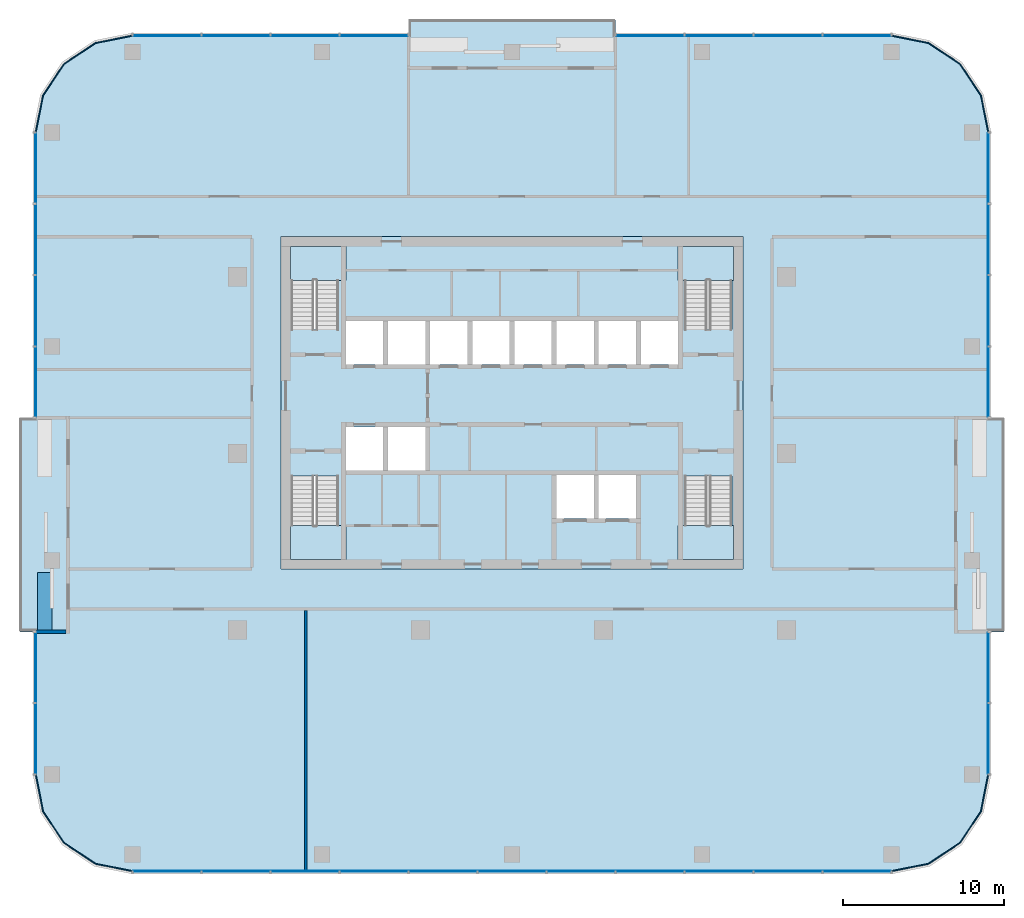
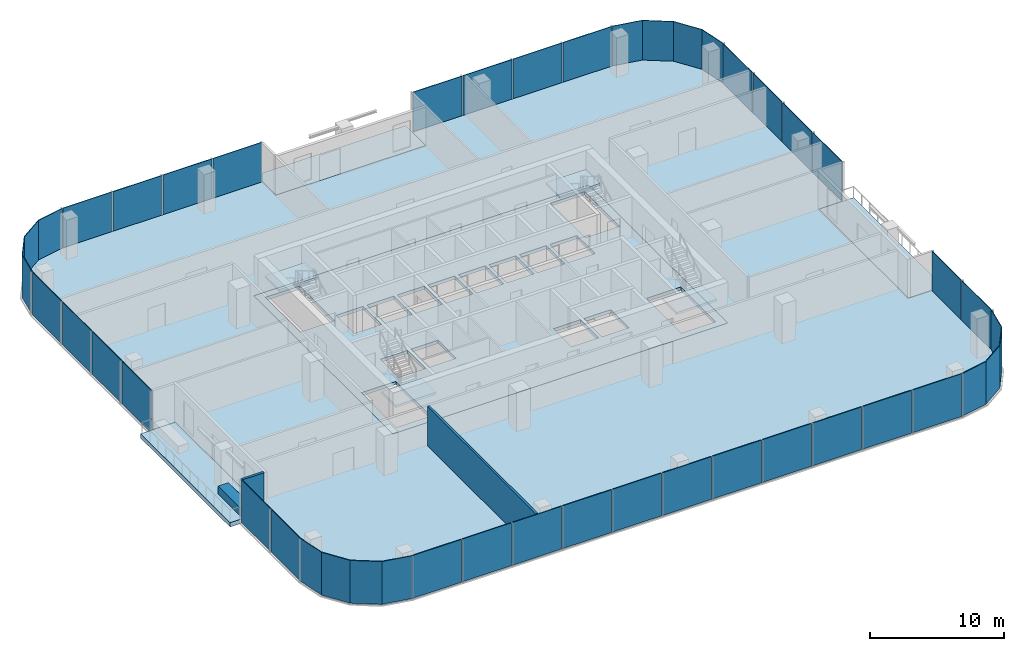
# One storey, part 6 of 13: 35 plates, 9 slabs, 3 walls, 15 elements without a shape of their own.
"""IFC4 building model written with IfcOpenShell, lengths in metres."""

from ifc_helpers import new_model, si_unit, direction, frame, frame_2d, origin, origin_2d, place, context, subcontext, project, spatial, polyline, rectangle, outline, extrude, material, layer, layer_set, type_object, element, aggregate, save


model = new_model("IFC4")

# Units and contexts
model_context = context("Model", 3, precision=1e-05, world=origin(), true_north=direction((0.0, 1.0)))
body_context = subcontext(model_context, "Body", "Model", "MODEL_VIEW")
ifc_project = project(units=[si_unit("LENGTHUNIT", "METRE"), si_unit("AREAUNIT", "SQUARE_METRE"), si_unit("VOLUMEUNIT", "CUBIC_METRE"), si_unit("PLANEANGLEUNIT", "RADIAN"), si_unit("MASSUNIT", "GRAM", prefix="KILO")], contexts=[model_context])

# Site, building, storey
site_placement = place(None, origin())
site = spatial("IfcSite", under=ifc_project, at=site_placement, CompositionType="ELEMENT")
building_placement = place(site_placement, origin())
building = spatial("IfcBuilding", under=site, at=building_placement, Name="Mopane Tessera Tower", CompositionType="ELEMENT")
storey_placement = place(building_placement, frame((0.0, 0.0, 283.39990234375)))
storey = spatial("IfcBuildingStorey", under=building, at=storey_placement, Name="L61", CompositionType="ELEMENT", Elevation=283.39990234375)

# Slab
ifc_material_1 = material(Name="Concrete C40/50", Category="concrete")
ifc_layer_1 = layer(ifc_material_1, 0.300048828125)
ifc_layer_set_1 = layer_set([ifc_layer_1], Name="Concrete C40/50")
slab_type_1 = type_object("IfcSlabType", Name="Core floor slab 300 mm", PredefinedType="FLOOR", material=ifc_layer_set_1)
slab_1_placement = place(storey_placement, frame((0.0, 0.0, -0.2998046875)))
element("IfcSlab", 1, at=slab_1_placement, inside=storey, type_object=slab_type_1, Name="L61 core floor slab", PredefinedType="FLOOR", context=body_context, shape_type="SweptSolid", body=[
    extrude(outline(polyline([(-14.39990234375, -7.199951171875), (14.39990234375, -7.199951171875), (14.39990234375, 13.5), (-14.39990234375, 13.5), (-14.39990234375, -7.199951171875)]), holes=[polyline([(-10.35009765625, -1.050048828125), (-8.02490234375, -1.050048828125), (-8.02490234375, 1.64990234375), (-10.35009765625, 1.64990234375), (-10.35009765625, -1.050048828125)]), polyline([(-7.72509765625, -1.050048828125), (-5.39990234375, -1.050048828125), (-5.39990234375, 1.64990234375), (-7.72509765625, 1.64990234375), (-7.72509765625, -1.050048828125)]), polyline([(-10.35009765625, 5.550048828125), (-8.02490234375, 5.550048828125), (-8.02490234375, 8.25), (-10.35009765625, 8.25), (-10.35009765625, 5.550048828125)]), polyline([(-7.72509765625, 5.550048828125), (-5.39990234375, 5.550048828125), (-5.39990234375, 8.25), (-7.72509765625, 8.25), (-7.72509765625, 5.550048828125)]), polyline([(-5.10009765625, 5.550048828125), (-2.77490234375, 5.550048828125), (-2.77490234375, 8.25), (-5.10009765625, 8.25), (-5.10009765625, 5.550048828125)]), polyline([(-2.47509765625, 5.550048828125), (-0.14990234375, 5.550048828125), (-0.14990234375, 8.25), (-2.47509765625, 8.25), (-2.47509765625, 5.550048828125)]), polyline([(0.14990234375, 5.550048828125), (2.47509765625, 5.550048828125), (2.47509765625, 8.25), (0.14990234375, 8.25), (0.14990234375, 5.550048828125)]), polyline([(2.77490234375, 5.550048828125), (5.10009765625, 5.550048828125), (5.10009765625, 8.25), (2.77490234375, 8.25), (2.77490234375, 5.550048828125)]), polyline([(5.39990234375, 5.550048828125), (7.72509765625, 5.550048828125), (7.72509765625, 8.25), (5.39990234375, 8.25), (5.39990234375, 5.550048828125)]), polyline([(8.02490234375, 5.550048828125), (10.35009765625, 5.550048828125), (10.35009765625, 8.25), (8.02490234375, 8.25), (8.02490234375, 5.550048828125)]), polyline([(2.77490234375, -4.050048828125), (5.10009765625, -4.050048828125), (5.10009765625, -1.35009765625), (2.77490234375, -1.35009765625), (2.77490234375, -4.050048828125)]), polyline([(5.39990234375, -4.050048828125), (7.72509765625, -4.050048828125), (7.72509765625, -1.35009765625), (5.39990234375, -1.35009765625), (5.39990234375, -4.050048828125)]), polyline([(-13.75, -1.405029296875), (-13.75, -6.60009765625), (-10.800048828125, -6.60009765625), (-10.800048828125, -1.405029296875), (-13.75, -1.405029296875)]), polyline([(-10.800048828125, 7.705078125), (-10.800048828125, 12.89990234375), (-13.75, 12.89990234375), (-13.75, 7.705078125), (-10.800048828125, 7.705078125)]), polyline([(10.75, -1.405029296875), (10.75, -6.60009765625), (13.699951171875, -6.60009765625), (13.699951171875, -1.405029296875), (10.75, -1.405029296875)]), polyline([(13.699951171875, 7.705078125), (13.699951171875, 12.89990234375), (10.75, 12.89990234375), (10.75, 7.705078125), (13.699951171875, 7.705078125)])]), origin(), (0.0, 0.0, 1.0), 0.2998046875),
])

# Stair, slab
ifc_material_2 = material(Name="Concrete C50/60", Category="concrete")
stair_type = type_object("IfcStairType", Name="Escape stair 1400 mm, riser 167 mm", PredefinedType="HALF_TURN_STAIR", material=ifc_material_2)
stair_1_placement = place(storey_placement, origin())
stair_1 = element("IfcStair", 2, at=stair_1_placement, inside=storey, type_object=stair_type, Name="L61 Escape stair south-west", PredefinedType="HALF_TURN_STAIR")
ifc_material_3 = material(Name="Concrete C50/60", Category="concrete")
ifc_layer_2 = layer(ifc_material_3, 0.199951171875)
ifc_layer_set_2 = layer_set([ifc_layer_2], Name="Concrete C50/60")
slab_type_2 = type_object("IfcSlabType", Name="Escape stair landing 200 mm", PredefinedType="LANDING", material=ifc_layer_set_2)
slab_2_placement = place(storey_placement, frame((0.0, 0.0, 1.800048828125)))
slab_2 = element("IfcSlab", 3, at=slab_2_placement, type_object=slab_type_2, Name="ST1 landing 1", PredefinedType="LANDING", context=body_context, shape_type="SweptSolid", body=[
    extrude(outline(polyline([(-13.800048828125, -4.47998046875), (-13.800048828125, -6.60009765625), (-10.35009765625, -6.60009765625), (-10.35009765625, -4.47998046875), (-13.800048828125, -4.47998046875)])), origin(), (0.0, 0.0, 1.0), 0.199951171875),
])
aggregate(stair_1, [slab_2])

stair_2_placement = place(storey_placement, origin())
stair_2 = element("IfcStair", 4, at=stair_2_placement, inside=storey, type_object=stair_type, Name="L61 Escape stair north-west", PredefinedType="HALF_TURN_STAIR")
slab_3_placement = place(storey_placement, frame((0.0, 0.0, 1.800048828125)))
slab_3 = element("IfcSlab", 5, at=slab_3_placement, type_object=slab_type_2, Name="ST2 landing 1", PredefinedType="LANDING", context=body_context, shape_type="SweptSolid", body=[
    extrude(outline(polyline([(-10.35009765625, 10.780029296875), (-10.35009765625, 12.89990234375), (-13.800048828125, 12.89990234375), (-13.800048828125, 10.780029296875), (-10.35009765625, 10.780029296875)])), origin(), (0.0, 0.0, 1.0), 0.199951171875),
])
aggregate(stair_2, [slab_3])

stair_3_placement = place(storey_placement, origin())
stair_3 = element("IfcStair", 6, at=stair_3_placement, inside=storey, type_object=stair_type, Name="L61 Escape stair south-east", PredefinedType="HALF_TURN_STAIR")
slab_4_placement = place(storey_placement, frame((0.0, 0.0, 1.800048828125)))
slab_4 = element("IfcSlab", 7, at=slab_4_placement, type_object=slab_type_2, Name="ST3 landing 1", PredefinedType="LANDING", context=body_context, shape_type="SweptSolid", body=[
    extrude(outline(polyline([(10.35009765625, -4.47998046875), (10.35009765625, -6.60009765625), (13.800048828125, -6.60009765625), (13.800048828125, -4.47998046875), (10.35009765625, -4.47998046875)])), origin(), (0.0, 0.0, 1.0), 0.199951171875),
])
aggregate(stair_3, [slab_4])

stair_4_placement = place(storey_placement, origin())
stair_4 = element("IfcStair", 8, at=stair_4_placement, inside=storey, type_object=stair_type, Name="L61 Escape stair north-east", PredefinedType="HALF_TURN_STAIR")
slab_5_placement = place(storey_placement, frame((0.0, 0.0, 1.800048828125)))
slab_5 = element("IfcSlab", 9, at=slab_5_placement, type_object=slab_type_2, Name="ST4 landing 1", PredefinedType="LANDING", context=body_context, shape_type="SweptSolid", body=[
    extrude(outline(polyline([(13.800048828125, 10.780029296875), (13.800048828125, 12.89990234375), (10.35009765625, 12.89990234375), (10.35009765625, 10.780029296875), (13.800048828125, 10.780029296875)])), origin(), (0.0, 0.0, 1.0), 0.199951171875),
])
aggregate(stair_4, [slab_5])

# Slabs
ifc_material_4 = material(Name="Concrete C40/50", Category="concrete")
ifc_layer_3 = layer(ifc_material_4, 0.39990234375)
ifc_layer_set_3 = layer_set([ifc_layer_3], Name="Concrete C40/50")
slab_type_3 = type_object("IfcSlabType", Name="Planted terrace slab 400 mm", PredefinedType="FLOOR", material=ifc_layer_set_3)
slab_6_placement = place(storey_placement, frame((0.0, 0.0, -0.39990234375)))
element("IfcSlab", 10, at=slab_6_placement, inside=storey, type_object=slab_type_3, Name="Terrace slab N1 L61", PredefinedType="FLOOR", context=body_context, shape_type="SweptSolid", body=[
    extrude(outline(polyline([(30.64990234375, 2.22216796875), (27.64990234375, 2.22216796875), (27.64990234375, -11.111083984375), (30.64990234375, -11.111083984375), (30.64990234375, 2.22216796875)])), origin(), (0.0, 0.0, 1.0), 0.39990234375),
])
slab_7_placement = place(storey_placement, frame((0.0, 0.0, -0.39990234375)))
element("IfcSlab", 11, at=slab_7_placement, inside=storey, type_object=slab_type_3, Name="Terrace slab N2 L61", PredefinedType="FLOOR", context=body_context, shape_type="SweptSolid", body=[
    extrude(outline(polyline([(-6.449951171875, 27.0), (-6.449951171875, 24.0), (6.449951171875, 24.0), (6.449951171875, 27.0), (-6.449951171875, 27.0)])), origin(), (0.0, 0.0, 1.0), 0.39990234375),
])
slab_8_placement = place(storey_placement, frame((0.0, 0.0, -0.39990234375)))
element("IfcSlab", 12, at=slab_8_placement, inside=storey, type_object=slab_type_3, Name="Terrace slab N3 L61", PredefinedType="FLOOR", context=body_context, shape_type="SweptSolid", body=[
    extrude(outline(polyline([(-30.64990234375, -11.111083984375), (-27.64990234375, -11.111083984375), (-27.64990234375, 2.22216796875), (-30.64990234375, 2.22216796875), (-30.64990234375, -11.111083984375)])), origin(), (0.0, 0.0, 1.0), 0.39990234375),
])
ifc_material_5 = material(Name="Concrete C40/50", Category="concrete")
ifc_layer_4 = layer(ifc_material_5, 0.39990234375)
ifc_layer_set_4 = layer_set([ifc_layer_4], Name="Concrete C40/50")
slab_type_4 = type_object("IfcSlabType", Name="Post-tensioned flat plate 400 mm", PredefinedType="FLOOR", material=ifc_layer_set_4)
slab_9_placement = place(storey_placement, frame((0.0, 0.0, -0.39990234375)))
element("IfcSlab", 13, at=slab_9_placement, inside=storey, type_object=slab_type_4, Name="Floor slab L61", PredefinedType="FLOOR", context=body_context, shape_type="SweptSolid", body=[
    extrude(outline(polyline([(29.64990234375, -20.0), (29.64990234375, -11.111083984375), (27.64990234375, -11.111083984375), (27.64990234375, 2.22216796875), (29.64990234375, 2.22216796875), (29.64990234375, 20.0), (29.193359375, 22.296142578125), (27.892578125, 24.24267578125), (25.946044921875, 25.543212890625), (23.64990234375, 26.0), (6.449951171875, 26.0), (6.449951171875, 24.0), (-6.449951171875, 24.0), (-6.449951171875, 26.0), (-23.64990234375, 26.0), (-25.946044921875, 25.543212890625), (-27.892578125, 24.24267578125), (-29.193359375, 22.296142578125), (-29.64990234375, 20.0), (-29.64990234375, 2.22216796875), (-27.64990234375, 2.22216796875), (-27.64990234375, -11.111083984375), (-29.64990234375, -11.111083984375), (-29.64990234375, -20.0), (-29.193359375, -22.296142578125), (-27.892578125, -24.24267578125), (-25.946044921875, -25.543212890625), (-23.64990234375, -26.0), (23.64990234375, -26.0), (25.946044921875, -25.543212890625), (27.892578125, -24.24267578125), (29.193359375, -22.296142578125), (29.64990234375, -20.0)]), holes=[polyline([(14.39990234375, -7.199951171875), (-14.39990234375, -7.199951171875), (-14.39990234375, 13.5), (14.39990234375, 13.5), (14.39990234375, -7.199951171875)])]), origin(), (0.0, 0.0, 1.0), 0.39990234375),
])

# Curtain wall, plates
ifc_material_6 = material(Name="Aluminium frame", Category="aluminium")
curtain_wall_type = type_object("IfcCurtainWallType", Name="Unitised curtain wall", PredefinedType="NOTDEFINED", material=ifc_material_6)
curtain_wall_1_placement = place(storey_placement, origin())
curtain_wall_1 = element("IfcCurtainWall", 14, at=curtain_wall_1_placement, inside=storey, type_object=curtain_wall_type, Name="e:cw:L61:S:0", PredefinedType="NOTDEFINED")
ifc_material_7 = material(Name="Clear laminated glass", Category="glass")
ifc_layer_5 = layer(ifc_material_7, 0.06005859375)
ifc_layer_set_5 = layer_set([ifc_layer_5], Name="Clear laminated glass")
plate_type = type_object("IfcPlateType", Name="Unitised glazed unit", PredefinedType="CURTAIN_PANEL", material=ifc_layer_set_5)
plate_1_placement = place(storey_placement, frame((-21.5, -26.030029296875, -0.27978515625), z_axis=(0.0, 0.0, 1.0), x_axis=(1.0, 0.0, 0.0)))
plate_1 = element("IfcPlate", 15, at=plate_1_placement, type_object=plate_type, Name="e:cw:L61:S:0:pn0", PredefinedType="CURTAIN_PANEL", context=body_context, shape_type="SweptSolid", body=[
    extrude(rectangle(XDim=4.199951171875, YDim=0.06005859375, at=origin_2d()), origin(), (0.0, 0.0, 1.0), 3.8798828125),
])
plate_2_placement = place(storey_placement, frame((-17.199951171875, -26.030029296875, -0.27978515625), z_axis=(0.0, 0.0, 1.0), x_axis=(1.0, 0.0, 0.0)))
plate_2 = element("IfcPlate", 16, at=plate_2_placement, type_object=plate_type, Name="e:cw:L61:S:0:pn1", PredefinedType="CURTAIN_PANEL", context=body_context, shape_type="SweptSolid", body=[
    extrude(rectangle(XDim=4.199951171875, YDim=0.06005859375, at=origin_2d()), origin(), (0.0, 0.0, 1.0), 3.8798828125),
])
plate_3_placement = place(storey_placement, frame((-12.89990234375, -26.030029296875, -0.27978515625), z_axis=(0.0, 0.0, 1.0), x_axis=(1.0, 0.0, 0.0)))
plate_3 = element("IfcPlate", 17, at=plate_3_placement, type_object=plate_type, Name="e:cw:L61:S:0:pn2", PredefinedType="CURTAIN_PANEL", context=body_context, shape_type="SweptSolid", body=[
    extrude(rectangle(XDim=4.199951171875, YDim=0.06005859375, at=origin_2d()), origin(), (0.0, 0.0, 1.0), 3.8798828125),
])
plate_4_placement = place(storey_placement, frame((-8.60009765625, -26.030029296875, -0.27978515625), z_axis=(0.0, 0.0, 1.0), x_axis=(1.0, 0.0, 0.0)))
plate_4 = element("IfcPlate", 18, at=plate_4_placement, type_object=plate_type, Name="e:cw:L61:S:0:pn3", PredefinedType="CURTAIN_PANEL", context=body_context, shape_type="SweptSolid", body=[
    extrude(rectangle(XDim=4.199951171875, YDim=0.06005859375, at=origin_2d()), origin(), (0.0, 0.0, 1.0), 3.8798828125),
])
plate_5_placement = place(storey_placement, frame((-4.300048828125, -26.030029296875, -0.27978515625), z_axis=(0.0, 0.0, 1.0), x_axis=(1.0, 0.0, 0.0)))
plate_5 = element("IfcPlate", 19, at=plate_5_placement, type_object=plate_type, Name="e:cw:L61:S:0:pn4", PredefinedType="CURTAIN_PANEL", context=body_context, shape_type="SweptSolid", body=[
    extrude(rectangle(XDim=4.199951171875, YDim=0.06005859375, at=origin_2d()), origin(), (0.0, 0.0, 1.0), 3.8798828125),
])
plate_6_placement = place(storey_placement, frame((0.0, -26.030029296875, -0.27978515625), z_axis=(0.0, 0.0, 1.0), x_axis=(1.0, 0.0, 0.0)))
plate_6 = element("IfcPlate", 20, at=plate_6_placement, type_object=plate_type, Name="e:cw:L61:S:0:pn5", PredefinedType="CURTAIN_PANEL", context=body_context, shape_type="SweptSolid", body=[
    extrude(rectangle(XDim=4.199951171875, YDim=0.06005859375, at=origin_2d()), origin(), (0.0, 0.0, 1.0), 3.8798828125),
])
plate_7_placement = place(storey_placement, frame((4.300048828125, -26.030029296875, -0.27978515625), z_axis=(0.0, 0.0, 1.0), x_axis=(1.0, 0.0, 0.0)))
plate_7 = element("IfcPlate", 21, at=plate_7_placement, type_object=plate_type, Name="e:cw:L61:S:0:pn6", PredefinedType="CURTAIN_PANEL", context=body_context, shape_type="SweptSolid", body=[
    extrude(rectangle(XDim=4.199951171875, YDim=0.06005859375, at=origin_2d()), origin(), (0.0, 0.0, 1.0), 3.8798828125),
])
plate_8_placement = place(storey_placement, frame((8.60009765625, -26.030029296875, -0.27978515625), z_axis=(0.0, 0.0, 1.0), x_axis=(1.0, 0.0, 0.0)))
plate_8 = element("IfcPlate", 22, at=plate_8_placement, type_object=plate_type, Name="e:cw:L61:S:0:pn7", PredefinedType="CURTAIN_PANEL", context=body_context, shape_type="SweptSolid", body=[
    extrude(rectangle(XDim=4.199951171875, YDim=0.06005859375, at=origin_2d()), origin(), (0.0, 0.0, 1.0), 3.8798828125),
])
plate_9_placement = place(storey_placement, frame((12.89990234375, -26.030029296875, -0.27978515625), z_axis=(0.0, 0.0, 1.0), x_axis=(1.0, 0.0, 0.0)))
plate_9 = element("IfcPlate", 23, at=plate_9_placement, type_object=plate_type, Name="e:cw:L61:S:0:pn8", PredefinedType="CURTAIN_PANEL", context=body_context, shape_type="SweptSolid", body=[
    extrude(rectangle(XDim=4.199951171875, YDim=0.06005859375, at=origin_2d()), origin(), (0.0, 0.0, 1.0), 3.8798828125),
])
plate_10_placement = place(storey_placement, frame((17.199951171875, -26.030029296875, -0.27978515625), z_axis=(0.0, 0.0, 1.0), x_axis=(1.0, 0.0, 0.0)))
plate_10 = element("IfcPlate", 24, at=plate_10_placement, type_object=plate_type, Name="e:cw:L61:S:0:pn9", PredefinedType="CURTAIN_PANEL", context=body_context, shape_type="SweptSolid", body=[
    extrude(rectangle(XDim=4.199951171875, YDim=0.06005859375, at=origin_2d()), origin(), (0.0, 0.0, 1.0), 3.8798828125),
])
plate_11_placement = place(storey_placement, frame((21.5, -26.030029296875, -0.27978515625), z_axis=(0.0, 0.0, 1.0), x_axis=(1.0, 0.0, 0.0)))
plate_11 = element("IfcPlate", 25, at=plate_11_placement, type_object=plate_type, Name="e:cw:L61:S:0:pn10", PredefinedType="CURTAIN_PANEL", context=body_context, shape_type="SweptSolid", body=[
    extrude(rectangle(XDim=4.199951171875, YDim=0.06005859375, at=origin_2d()), origin(), (0.0, 0.0, 1.0), 3.8798828125),
])
aggregate(curtain_wall_1, [plate_1, plate_2, plate_3, plate_4, plate_5, plate_6, plate_7, plate_8, plate_9, plate_10, plate_11])

# Curtain wall, plate
curtain_wall_2_placement = place(storey_placement, origin())
curtain_wall_2 = element("IfcCurtainWall", 26, at=curtain_wall_2_placement, inside=storey, type_object=curtain_wall_type, Name="e:cw:L61:CS", PredefinedType="NOTDEFINED")
plate_12_placement = place(storey_placement, frame((0.0, 0.0, -0.27978515625)))
plate_12 = element("IfcPlate", 27, at=plate_12_placement, type_object=plate_type, Name="e:cw:L61:CS:pn", PredefinedType="CURTAIN_PANEL", context=body_context, shape_type="SweptSolid", body=[
    extrude(outline(polyline([(23.64990234375, -26.0), (25.946044921875, -25.543212890625), (27.892578125, -24.24267578125), (29.193359375, -22.296142578125), (29.64990234375, -20.0), (29.7099609375, -20.0), (29.248779296875, -22.319091796875), (27.93505859375, -24.28515625), (25.968994140625, -25.5986328125), (23.64990234375, -26.06005859375), (23.64990234375, -26.0)])), origin(), (0.0, 0.0, 1.0), 3.8798828125),
])
aggregate(curtain_wall_2, [plate_12])

# Curtain wall, plates
curtain_wall_3_placement = place(storey_placement, origin())
curtain_wall_3 = element("IfcCurtainWall", 28, at=curtain_wall_3_placement, inside=storey, type_object=curtain_wall_type, Name="e:cw:L61:E:0", PredefinedType="NOTDEFINED")
plate_13_placement = place(storey_placement, frame((29.679931640625, -17.77783203125, -0.27978515625), z_axis=(0.0, 0.0, 1.0), x_axis=(0.0, 1.0, 0.0)))
plate_13 = element("IfcPlate", 29, at=plate_13_placement, type_object=plate_type, Name="e:cw:L61:E:0:pn0", PredefinedType="CURTAIN_PANEL", context=body_context, shape_type="SweptSolid", body=[
    extrude(rectangle(XDim=4.344482421875, YDim=0.06005859375, at=origin_2d()), origin(), (0.0, 0.0, 1.0), 3.8798828125),
])
plate_14_placement = place(storey_placement, frame((29.679931640625, -13.333251953125, -0.27978515625), z_axis=(0.0, 0.0, 1.0), x_axis=(0.0, 1.0, 0.0)))
plate_14 = element("IfcPlate", 30, at=plate_14_placement, type_object=plate_type, Name="e:cw:L61:E:0:pn1", PredefinedType="CURTAIN_PANEL", context=body_context, shape_type="SweptSolid", body=[
    extrude(rectangle(XDim=4.344482421875, YDim=0.06005859375, at=origin_2d()), origin(), (0.0, 0.0, 1.0), 3.8798828125),
])
aggregate(curtain_wall_3, [plate_13, plate_14])

curtain_wall_4_placement = place(storey_placement, origin())
curtain_wall_4 = element("IfcCurtainWall", 31, at=curtain_wall_4_placement, inside=storey, type_object=curtain_wall_type, Name="e:cw:L61:E:5", PredefinedType="NOTDEFINED")
plate_15_placement = place(storey_placement, frame((29.679931640625, 4.4443359375, -0.27978515625), z_axis=(0.0, 0.0, 1.0), x_axis=(0.0, 1.0, 0.0)))
plate_15 = element("IfcPlate", 32, at=plate_15_placement, type_object=plate_type, Name="e:cw:L61:E:5:pn5", PredefinedType="CURTAIN_PANEL", context=body_context, shape_type="SweptSolid", body=[
    extrude(rectangle(XDim=4.344482421875, YDim=0.06005859375, at=origin_2d()), origin(), (0.0, 0.0, 1.0), 3.8798828125),
])
plate_16_placement = place(storey_placement, frame((29.679931640625, 8.888916015625, -0.27978515625), z_axis=(0.0, 0.0, 1.0), x_axis=(0.0, 1.0, 0.0)))
plate_16 = element("IfcPlate", 33, at=plate_16_placement, type_object=plate_type, Name="e:cw:L61:E:5:pn6", PredefinedType="CURTAIN_PANEL", context=body_context, shape_type="SweptSolid", body=[
    extrude(rectangle(XDim=4.344482421875, YDim=0.06005859375, at=origin_2d()), origin(), (0.0, 0.0, 1.0), 3.8798828125),
])
plate_17_placement = place(storey_placement, frame((29.679931640625, 13.333251953125, -0.27978515625), z_axis=(0.0, 0.0, 1.0), x_axis=(0.0, 1.0, 0.0)))
plate_17 = element("IfcPlate", 34, at=plate_17_placement, type_object=plate_type, Name="e:cw:L61:E:5:pn7", PredefinedType="CURTAIN_PANEL", context=body_context, shape_type="SweptSolid", body=[
    extrude(rectangle(XDim=4.344482421875, YDim=0.06005859375, at=origin_2d()), origin(), (0.0, 0.0, 1.0), 3.8798828125),
])
plate_18_placement = place(storey_placement, frame((29.679931640625, 17.77783203125, -0.27978515625), z_axis=(0.0, 0.0, 1.0), x_axis=(0.0, 1.0, 0.0)))
plate_18 = element("IfcPlate", 35, at=plate_18_placement, type_object=plate_type, Name="e:cw:L61:E:5:pn8", PredefinedType="CURTAIN_PANEL", context=body_context, shape_type="SweptSolid", body=[
    extrude(rectangle(XDim=4.344482421875, YDim=0.06005859375, at=origin_2d()), origin(), (0.0, 0.0, 1.0), 3.8798828125),
])
aggregate(curtain_wall_4, [plate_15, plate_16, plate_17, plate_18])

# Curtain wall, plate
curtain_wall_5_placement = place(storey_placement, origin())
curtain_wall_5 = element("IfcCurtainWall", 36, at=curtain_wall_5_placement, inside=storey, type_object=curtain_wall_type, Name="e:cw:L61:CE", PredefinedType="NOTDEFINED")
plate_19_placement = place(storey_placement, frame((0.0, 0.0, -0.27978515625)))
plate_19 = element("IfcPlate", 37, at=plate_19_placement, type_object=plate_type, Name="e:cw:L61:CE:pn", PredefinedType="CURTAIN_PANEL", context=body_context, shape_type="SweptSolid", body=[
    extrude(outline(polyline([(29.64990234375, 20.0), (29.193359375, 22.296142578125), (27.892578125, 24.24267578125), (25.946044921875, 25.543212890625), (23.64990234375, 26.0), (23.64990234375, 26.06005859375), (25.968994140625, 25.5986328125), (27.93505859375, 24.28515625), (29.248779296875, 22.319091796875), (29.7099609375, 20.0), (29.64990234375, 20.0)])), origin(), (0.0, 0.0, 1.0), 3.8798828125),
])
aggregate(curtain_wall_5, [plate_19])

# Curtain wall, plates
curtain_wall_6_placement = place(storey_placement, origin())
curtain_wall_6 = element("IfcCurtainWall", 38, at=curtain_wall_6_placement, inside=storey, type_object=curtain_wall_type, Name="e:cw:L61:N:0", PredefinedType="NOTDEFINED")
plate_20_placement = place(storey_placement, frame((21.5, 26.030029296875, -0.27978515625), z_axis=(0.0, 0.0, 1.0), x_axis=(-1.0, 0.0, 0.0)))
plate_20 = element("IfcPlate", 39, at=plate_20_placement, type_object=plate_type, Name="e:cw:L61:N:0:pn0", PredefinedType="CURTAIN_PANEL", context=body_context, shape_type="SweptSolid", body=[
    extrude(rectangle(XDim=4.199951171875, YDim=0.06005859375, at=origin_2d()), origin(), (0.0, 0.0, 1.0), 3.8798828125),
])
plate_21_placement = place(storey_placement, frame((17.199951171875, 26.030029296875, -0.27978515625), z_axis=(0.0, 0.0, 1.0), x_axis=(-1.0, 0.0, 0.0)))
plate_21 = element("IfcPlate", 40, at=plate_21_placement, type_object=plate_type, Name="e:cw:L61:N:0:pn1", PredefinedType="CURTAIN_PANEL", context=body_context, shape_type="SweptSolid", body=[
    extrude(rectangle(XDim=4.199951171875, YDim=0.06005859375, at=origin_2d()), origin(), (0.0, 0.0, 1.0), 3.8798828125),
])
plate_22_placement = place(storey_placement, frame((12.89990234375, 26.030029296875, -0.27978515625), z_axis=(0.0, 0.0, 1.0), x_axis=(-1.0, 0.0, 0.0)))
plate_22 = element("IfcPlate", 41, at=plate_22_placement, type_object=plate_type, Name="e:cw:L61:N:0:pn2", PredefinedType="CURTAIN_PANEL", context=body_context, shape_type="SweptSolid", body=[
    extrude(rectangle(XDim=4.199951171875, YDim=0.06005859375, at=origin_2d()), origin(), (0.0, 0.0, 1.0), 3.8798828125),
])
plate_23_placement = place(storey_placement, frame((8.60009765625, 26.030029296875, -0.27978515625), z_axis=(0.0, 0.0, 1.0), x_axis=(-1.0, 0.0, 0.0)))
plate_23 = element("IfcPlate", 42, at=plate_23_placement, type_object=plate_type, Name="e:cw:L61:N:0:pn3", PredefinedType="CURTAIN_PANEL", context=body_context, shape_type="SweptSolid", body=[
    extrude(rectangle(XDim=4.199951171875, YDim=0.06005859375, at=origin_2d()), origin(), (0.0, 0.0, 1.0), 3.8798828125),
])
aggregate(curtain_wall_6, [plate_20, plate_21, plate_22, plate_23])

curtain_wall_7_placement = place(storey_placement, origin())
curtain_wall_7 = element("IfcCurtainWall", 43, at=curtain_wall_7_placement, inside=storey, type_object=curtain_wall_type, Name="e:cw:L61:N:7", PredefinedType="NOTDEFINED")
plate_24_placement = place(storey_placement, frame((-8.60009765625, 26.030029296875, -0.27978515625), z_axis=(0.0, 0.0, 1.0), x_axis=(-1.0, 0.0, 0.0)))
plate_24 = element("IfcPlate", 44, at=plate_24_placement, type_object=plate_type, Name="e:cw:L61:N:7:pn7", PredefinedType="CURTAIN_PANEL", context=body_context, shape_type="SweptSolid", body=[
    extrude(rectangle(XDim=4.199951171875, YDim=0.06005859375, at=origin_2d()), origin(), (0.0, 0.0, 1.0), 3.8798828125),
])
plate_25_placement = place(storey_placement, frame((-12.89990234375, 26.030029296875, -0.27978515625), z_axis=(0.0, 0.0, 1.0), x_axis=(-1.0, 0.0, 0.0)))
plate_25 = element("IfcPlate", 45, at=plate_25_placement, type_object=plate_type, Name="e:cw:L61:N:7:pn8", PredefinedType="CURTAIN_PANEL", context=body_context, shape_type="SweptSolid", body=[
    extrude(rectangle(XDim=4.199951171875, YDim=0.06005859375, at=origin_2d()), origin(), (0.0, 0.0, 1.0), 3.8798828125),
])
plate_26_placement = place(storey_placement, frame((-17.199951171875, 26.030029296875, -0.27978515625), z_axis=(0.0, 0.0, 1.0), x_axis=(-1.0, 0.0, 0.0)))
plate_26 = element("IfcPlate", 46, at=plate_26_placement, type_object=plate_type, Name="e:cw:L61:N:7:pn9", PredefinedType="CURTAIN_PANEL", context=body_context, shape_type="SweptSolid", body=[
    extrude(rectangle(XDim=4.199951171875, YDim=0.06005859375, at=origin_2d()), origin(), (0.0, 0.0, 1.0), 3.8798828125),
])
plate_27_placement = place(storey_placement, frame((-21.5, 26.030029296875, -0.27978515625), z_axis=(0.0, 0.0, 1.0), x_axis=(-1.0, 0.0, 0.0)))
plate_27 = element("IfcPlate", 47, at=plate_27_placement, type_object=plate_type, Name="e:cw:L61:N:7:pn10", PredefinedType="CURTAIN_PANEL", context=body_context, shape_type="SweptSolid", body=[
    extrude(rectangle(XDim=4.199951171875, YDim=0.06005859375, at=origin_2d()), origin(), (0.0, 0.0, 1.0), 3.8798828125),
])
aggregate(curtain_wall_7, [plate_24, plate_25, plate_26, plate_27])

# Curtain wall, plate
curtain_wall_8_placement = place(storey_placement, origin())
curtain_wall_8 = element("IfcCurtainWall", 48, at=curtain_wall_8_placement, inside=storey, type_object=curtain_wall_type, Name="e:cw:L61:CN", PredefinedType="NOTDEFINED")
plate_28_placement = place(storey_placement, frame((0.0, 0.0, -0.27978515625)))
plate_28 = element("IfcPlate", 49, at=plate_28_placement, type_object=plate_type, Name="e:cw:L61:CN:pn", PredefinedType="CURTAIN_PANEL", context=body_context, shape_type="SweptSolid", body=[
    extrude(outline(polyline([(-23.64990234375, 26.0), (-25.946044921875, 25.543212890625), (-27.892578125, 24.24267578125), (-29.193359375, 22.296142578125), (-29.64990234375, 20.0), (-29.7099609375, 20.0), (-29.248779296875, 22.319091796875), (-27.93505859375, 24.28515625), (-25.968994140625, 25.5986328125), (-23.64990234375, 26.06005859375), (-23.64990234375, 26.0)])), origin(), (0.0, 0.0, 1.0), 3.8798828125),
])
aggregate(curtain_wall_8, [plate_28])

# Curtain wall, plates
curtain_wall_9_placement = place(storey_placement, origin())
curtain_wall_9 = element("IfcCurtainWall", 50, at=curtain_wall_9_placement, inside=storey, type_object=curtain_wall_type, Name="e:cw:L61:W:0", PredefinedType="NOTDEFINED")
plate_29_placement = place(storey_placement, frame((-29.679931640625, 17.77783203125, -0.27978515625), z_axis=(0.0, 0.0, 1.0), x_axis=(0.0, -1.0, 0.0)))
plate_29 = element("IfcPlate", 51, at=plate_29_placement, type_object=plate_type, Name="e:cw:L61:W:0:pn0", PredefinedType="CURTAIN_PANEL", context=body_context, shape_type="SweptSolid", body=[
    extrude(rectangle(XDim=4.344482421875, YDim=0.06005859375, at=origin_2d()), origin(), (0.0, 0.0, 1.0), 3.8798828125),
])
plate_30_placement = place(storey_placement, frame((-29.679931640625, 13.333251953125, -0.27978515625), z_axis=(0.0, 0.0, 1.0), x_axis=(0.0, -1.0, 0.0)))
plate_30 = element("IfcPlate", 52, at=plate_30_placement, type_object=plate_type, Name="e:cw:L61:W:0:pn1", PredefinedType="CURTAIN_PANEL", context=body_context, shape_type="SweptSolid", body=[
    extrude(rectangle(XDim=4.344482421875, YDim=0.06005859375, at=origin_2d()), origin(), (0.0, 0.0, 1.0), 3.8798828125),
])
plate_31_placement = place(storey_placement, frame((-29.679931640625, 8.888916015625, -0.27978515625), z_axis=(0.0, 0.0, 1.0), x_axis=(0.0, -1.0, 0.0)))
plate_31 = element("IfcPlate", 53, at=plate_31_placement, type_object=plate_type, Name="e:cw:L61:W:0:pn2", PredefinedType="CURTAIN_PANEL", context=body_context, shape_type="SweptSolid", body=[
    extrude(rectangle(XDim=4.344482421875, YDim=0.06005859375, at=origin_2d()), origin(), (0.0, 0.0, 1.0), 3.8798828125),
])
plate_32_placement = place(storey_placement, frame((-29.679931640625, 4.4443359375, -0.27978515625), z_axis=(0.0, 0.0, 1.0), x_axis=(0.0, -1.0, 0.0)))
plate_32 = element("IfcPlate", 54, at=plate_32_placement, type_object=plate_type, Name="e:cw:L61:W:0:pn3", PredefinedType="CURTAIN_PANEL", context=body_context, shape_type="SweptSolid", body=[
    extrude(rectangle(XDim=4.344482421875, YDim=0.06005859375, at=origin_2d()), origin(), (0.0, 0.0, 1.0), 3.8798828125),
])
aggregate(curtain_wall_9, [plate_29, plate_30, plate_31, plate_32])

curtain_wall_10_placement = place(storey_placement, origin())
curtain_wall_10 = element("IfcCurtainWall", 55, at=curtain_wall_10_placement, inside=storey, type_object=curtain_wall_type, Name="e:cw:L61:W:7", PredefinedType="NOTDEFINED")
plate_33_placement = place(storey_placement, frame((-29.679931640625, -13.333251953125, -0.27978515625), z_axis=(0.0, 0.0, 1.0), x_axis=(0.0, -1.0, 0.0)))
plate_33 = element("IfcPlate", 56, at=plate_33_placement, type_object=plate_type, Name="e:cw:L61:W:7:pn7", PredefinedType="CURTAIN_PANEL", context=body_context, shape_type="SweptSolid", body=[
    extrude(rectangle(XDim=4.344482421875, YDim=0.06005859375, at=origin_2d()), origin(), (0.0, 0.0, 1.0), 3.8798828125),
])
plate_34_placement = place(storey_placement, frame((-29.679931640625, -17.77783203125, -0.27978515625), z_axis=(0.0, 0.0, 1.0), x_axis=(0.0, -1.0, 0.0)))
plate_34 = element("IfcPlate", 57, at=plate_34_placement, type_object=plate_type, Name="e:cw:L61:W:7:pn8", PredefinedType="CURTAIN_PANEL", context=body_context, shape_type="SweptSolid", body=[
    extrude(rectangle(XDim=4.344482421875, YDim=0.06005859375, at=origin_2d()), origin(), (0.0, 0.0, 1.0), 3.8798828125),
])
aggregate(curtain_wall_10, [plate_33, plate_34])

# Curtain wall, plate
curtain_wall_11_placement = place(storey_placement, origin())
curtain_wall_11 = element("IfcCurtainWall", 58, at=curtain_wall_11_placement, inside=storey, type_object=curtain_wall_type, Name="e:cw:L61:CW", PredefinedType="NOTDEFINED")
plate_35_placement = place(storey_placement, frame((0.0, 0.0, -0.27978515625)))
plate_35 = element("IfcPlate", 59, at=plate_35_placement, type_object=plate_type, Name="e:cw:L61:CW:pn", PredefinedType="CURTAIN_PANEL", context=body_context, shape_type="SweptSolid", body=[
    extrude(outline(polyline([(-29.64990234375, -20.0), (-29.193359375, -22.296142578125), (-27.892578125, -24.24267578125), (-25.946044921875, -25.543212890625), (-23.64990234375, -26.0), (-23.64990234375, -26.06005859375), (-25.968994140625, -25.5986328125), (-27.93505859375, -24.28515625), (-29.248779296875, -22.319091796875), (-29.7099609375, -20.0), (-29.64990234375, -20.0)])), origin(), (0.0, 0.0, 1.0), 3.8798828125),
])
aggregate(curtain_wall_11, [plate_35])

# Walls
ifc_material_8 = material(Name="Gypsum board on staggered steel studs, double layer each face, acoustic mineral wool infill", Category="steel")
ifc_layer_6 = layer(ifc_material_8, 0.175048828125)
ifc_layer_set_6 = layer_set([ifc_layer_6], Name="Gypsum board on staggered steel studs, double layer each face, acoustic mineral wool infill")
wall_type_1 = type_object("IfcWallType", Name="Gypsum board acoustic partition 175, rated EI 60", PredefinedType="PARTITIONING", material=ifc_layer_set_6)
wall_1_placement = place(storey_placement, frame((-12.85009765625, -25.949951171875, 0.0), z_axis=(0.0, 0.0, 1.0), x_axis=(0.0, 1.0, 0.0)))
element("IfcWall", 60, at=wall_1_placement, inside=storey, type_object=wall_type_1, Name="Partition L61:011", PredefinedType="PARTITIONING", context=body_context, shape_type="SweptSolid", body=[
    extrude(rectangle(XDim=16.14990234375, YDim=0.175048828125, at=frame_2d((8.074951171875, 0.0))), origin(), (0.0, 0.0, 1.0), 3.60009765625),
])
ifc_material_9 = material(Name="Reinforced concrete C32/40 with waterproofing", Category="concrete")
ifc_layer_7 = layer(ifc_material_9, 0.89990234375)
ifc_layer_set_7 = layer_set([ifc_layer_7], Name="Reinforced concrete C32/40 with waterproofing")
wall_type_2 = type_object("IfcWallType", Name="Planter trough 3600 x 900", PredefinedType="STANDARD", material=ifc_layer_set_7)
wall_2_placement = place(storey_placement, frame((-29.10009765625, -7.4111328125, 0.0), z_axis=(0.0, 0.0, 1.0), x_axis=(0.0, -1.0, 0.0)))
element("IfcWall", 61, at=wall_2_placement, inside=storey, type_object=wall_type_2, Name="e:nw:L61:N3:pl1", PredefinedType="STANDARD", context=body_context, shape_type="SweptSolid", body=[
    extrude(rectangle(XDim=3.60009765625, YDim=0.89990234375, at=frame_2d((1.800048828125, 0.0))), origin(), (0.0, 0.0, 1.0), 0.7001953125),
])
ifc_material_10 = material(Name="Blockwork with glazed tile facing", Category="masonry")
ifc_layer_8 = layer(ifc_material_10, 0.199951171875)
ifc_layer_set_8 = layer_set([ifc_layer_8], Name="Blockwork with glazed tile facing")
wall_type_3 = type_object("IfcWallType", Name="Terrace cheek wall 200", PredefinedType="STANDARD", material=ifc_layer_set_8)
wall_3_placement = place(storey_placement, frame((-29.64990234375, -11.111083984375, 0.0), z_axis=(0.0, 0.0, 1.0), x_axis=(1.0, 0.0, 0.0)))
element("IfcWall", 62, at=wall_3_placement, inside=storey, type_object=wall_type_3, Name="e:nw:L61:N3:cheekb", PredefinedType="STANDARD", context=body_context, shape_type="SweptSolid", body=[
    extrude(rectangle(XDim=1.875, YDim=0.199951171875, at=frame_2d((0.9375, 0.0))), origin(), (0.0, 0.0, 1.0), 3.60009765625),
])

save(model, "model.ifc")
